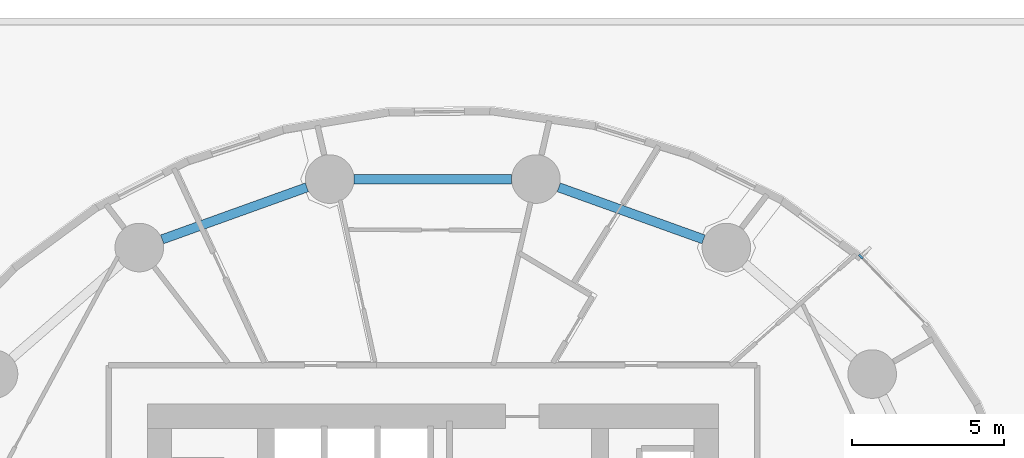
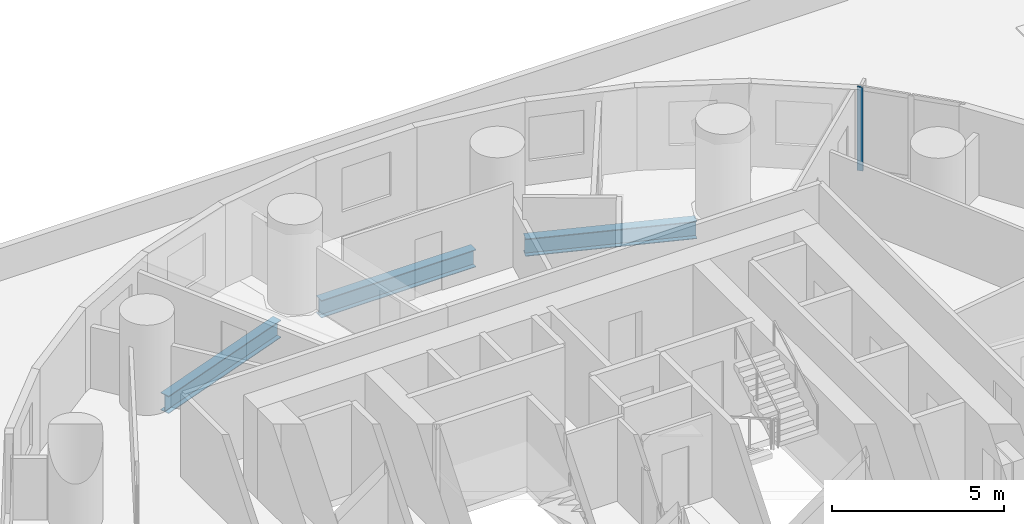
# One storey, part 4 of 12: 3 beams, 1 member, 1 element without a shape of its own.
"""IFC4 building model written with IfcOpenShell, lengths in metres."""

from ifc_helpers import new_model, si_unit, direction, frame, origin, origin_2d, place, context, subcontext, project, spatial, rectangle, i_section, extrude, material, material_profile, profile_set, type_object, element, aggregate, save


model = new_model("IFC4")

# Units and contexts
model_context = context("Model", 3, precision=1e-05, world=origin(), true_north=direction((0.0, 1.0)))
body_context = subcontext(model_context, "Body", "Model", "MODEL_VIEW")
ifc_project = project(units=[si_unit("LENGTHUNIT", "METRE"), si_unit("AREAUNIT", "SQUARE_METRE"), si_unit("VOLUMEUNIT", "CUBIC_METRE"), si_unit("PLANEANGLEUNIT", "RADIAN"), si_unit("MASSUNIT", "GRAM", prefix="KILO")], contexts=[model_context])

# Site, building, storey
site_placement = place(None, origin())
site = spatial("IfcSite", under=ifc_project, at=site_placement, CompositionType="ELEMENT")
building_placement = place(site_placement, origin())
building = spatial("IfcBuilding", under=site, at=building_placement, Name="Veldorim Arch Residences", CompositionType="ELEMENT")
storey_placement = place(building_placement, frame((0.0, 0.0, 24.800048828125)))
storey = spatial("IfcBuildingStorey", under=building, at=storey_placement, Name="L06", CompositionType="ELEMENT", Elevation=24.800048828125)

# Beams
ifc_material_1 = material(Name="Steel S355", Category="steel")
ifc_material_profile_1 = material_profile(ifc_material_1, i_section(OverallWidth=0.30712890625, OverallDepth=0.6201171875, WebThickness=0.01416015625, FlangeThickness=0.023681640625, at=origin_2d()), Name="UB610x305x179")
ifc_profile_set_1 = profile_set([ifc_material_profile_1], Name="Steel S355")
beam_type = type_object("IfcBeamType", Name="Structural Steel Beam UB610x305x179", PredefinedType="BEAM", material=ifc_profile_set_1)
beam_1_placement = place(storey_placement, frame((40.9140625, 36.82568359375, -0.550048828125), z_axis=(-0.94103540046, 0.338308106732, 0.0), x_axis=(-0.338308106732, -0.94103540046, 0.0)))
element("IfcBeam", 1, at=beam_1_placement, inside=storey, type_object=beam_type, Name="L06 perimeter ring tie beam 03", PredefinedType="BEAM", context=body_context, shape_type="SweptSolid", body=[
    extrude(i_section(OverallWidth=0.30712890625, OverallDepth=0.6201171875, WebThickness=0.01416015625, FlangeThickness=0.023681640625, at=origin_2d()), origin(), (0.0, 0.0, 1.0), 5.065185546875),
])
beam_2_placement = place(storey_placement, frame((34.594482421875, 38.809814453125, -0.550048828125), z_axis=(-1.0, 0.0, 0.0), x_axis=(0.0, -1.0, 0.0)))
element("IfcBeam", 2, at=beam_2_placement, inside=storey, type_object=beam_type, Name="L06 perimeter ring tie beam 04", PredefinedType="BEAM", context=body_context, shape_type="SweptSolid", body=[
    extrude(i_section(OverallWidth=0.30712890625, OverallDepth=0.6201171875, WebThickness=0.01416015625, FlangeThickness=0.023681640625, at=origin_2d()), origin(), (0.0, 0.0, 1.0), 5.18896484375),
])
beam_3_placement = place(storey_placement, frame((27.8525390625, 38.539306640625, -0.550048828125), z_axis=(-0.94103540046, -0.338308106732, 0.0), x_axis=(0.338308106732, -0.94103540046, 0.0)))
element("IfcBeam", 3, at=beam_3_placement, inside=storey, type_object=beam_type, Name="L06 perimeter ring tie beam 05", PredefinedType="BEAM", context=body_context, shape_type="SweptSolid", body=[
    extrude(i_section(OverallWidth=0.30712890625, OverallDepth=0.6201171875, WebThickness=0.01416015625, FlangeThickness=0.023681640625, at=origin_2d()), origin(), (0.0, 0.0, 1.0), 5.065185546875),
])

# Curtain wall, member
ifc_material_2 = material(Name="Aluminium", Category="aluminium")
curtain_wall_type = type_object("IfcCurtainWallType", Name="Zone 1 Acoustic Low-E Unitised Curtain Wall", PredefinedType="NOTDEFINED", material=ifc_material_2)
curtain_wall_placement = place(storey_placement, origin())
curtain_wall = element("IfcCurtainWall", 4, at=curtain_wall_placement, inside=storey, type_object=curtain_wall_type, Name="L06 unitised curtain wall bay 04", PredefinedType="NOTDEFINED")
ifc_material_3 = material(Name="Aluminium", Category="aluminium")
ifc_material_profile_2 = material_profile(ifc_material_3, rectangle(XDim=0.06494140625, YDim=0.175048828125, at=origin_2d()), Name="ALU_MUL_65x175")
ifc_profile_set_2 = profile_set([ifc_material_profile_2], Name="Aluminium")
member_type = type_object("IfcMemberType", Name="Zone 1 Acoustic Low-E Unitised Curtain Wall Mullion 65x175", PredefinedType="MULLION", material=ifc_profile_set_2)
member_placement = place(storey_placement, frame((46.095458984375, 36.259765625, 0.0), z_axis=(0.0, 0.0, 1.0), x_axis=(0.720420523139, 0.693537504278, 0.0)))
member = element("IfcMember", 5, at=member_placement, type_object=member_type, Name="CW-Z1 mullion 1", PredefinedType="MULLION", context=body_context, shape_type="SweptSolid", body=[
    extrude(rectangle(XDim=0.06494140625, YDim=0.175048828125, at=origin_2d()), origin(), (0.0, 0.0, 1.0), 2.9599609375),
])
aggregate(curtain_wall, [member])

save(model, "model.ifc")
